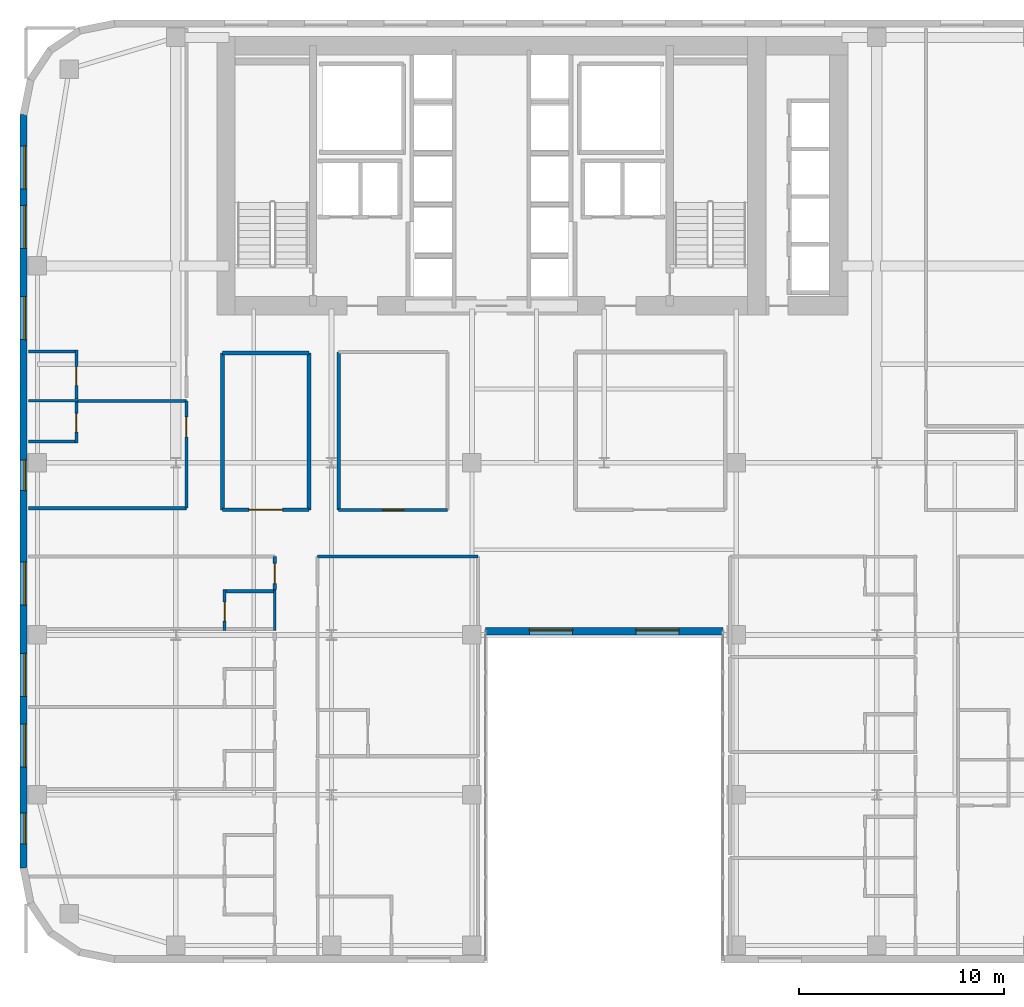
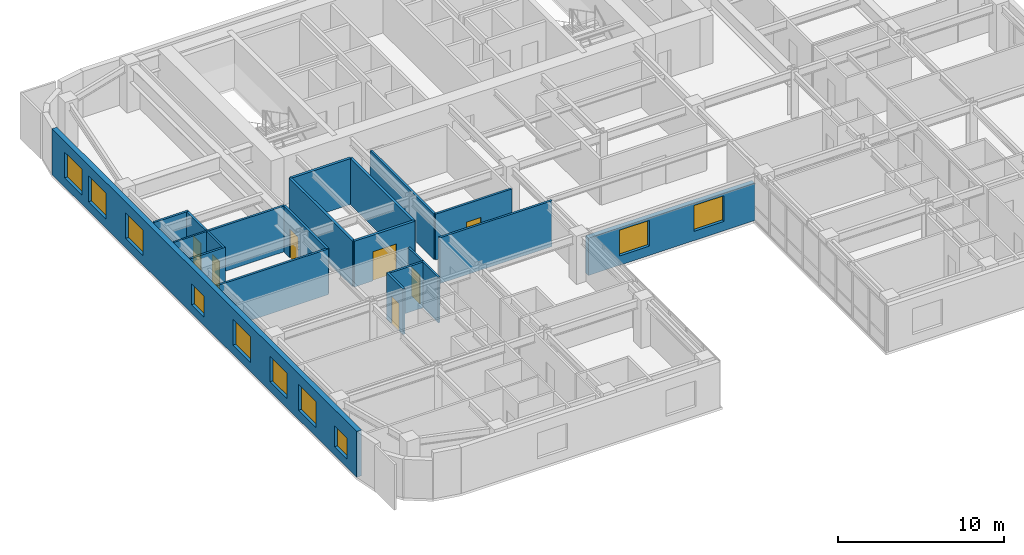
# One storey, part 11 of 16: 21 walls, 10 windows, 7 doors, 17 openings.
"""IFC4 building model written with IfcOpenShell, lengths in metres."""

import ifcopenshell
import ifcopenshell.guid

model = None  # the IFC model being written
_history = None  # IfcOwnerHistory: only IFC2X3 demands one
_inside = {}  # id of a spatial element -> (the spatial element, [elements in it])
_under = {}  # id of a project, library or spatial element -> (it, [spatial elements below it])
_declared = {}  # id of a project -> (the project, [libraries it declares])
_typed = {}  # id of a type object -> (the type object, [elements of that type])
_made_of = {}  # id of a material, layer set ... -> (it, [elements and type objects made of it])


def new_model(schema):
    """Start an empty IFC model of exactly this schema.

    Asked for "IFC4X3", IfcOpenShell would pick the latest addendum, in which some entities
    have other attributes; the version numbers below select the first issue.
    IFC2X3 requires an IfcOwnerHistory on every rooted entity: one is made here for all.
    """
    global model, _history
    if schema == "IFC4X3":
        model = ifcopenshell.file(schema_version=(4, 3, 0, 0))
    else:
        model = ifcopenshell.file(schema=schema)
    _inside.clear()
    _under.clear()
    _declared.clear()
    _typed.clear()
    _made_of.clear()
    _history = None
    if model.schema == "IFC2X3":
        org = make("IfcOrganization", Name="unknown")
        user = make(
            "IfcPersonAndOrganization",
            ThePerson=make("IfcPerson", FamilyName="unknown"),
            TheOrganization=org,
        )
        app = make(
            "IfcApplication",
            ApplicationDeveloper=org,
            Version="unknown",
            ApplicationFullName="unknown",
            ApplicationIdentifier="unknown",
        )
        _history = make(
            "IfcOwnerHistory",
            OwningUser=user,
            OwningApplication=app,
            ChangeAction="ADDED",
            CreationDate=0,
        )
    return model


def make(cls, **values):
    """One entity of the class cls with the attributes given. An attribute that is None is left unset."""
    return model.create_entity(
        cls, **{name: value for name, value in values.items() if value is not None}
    )


def rooted(cls, **values):
    """An entity with a GlobalId (a new one), such as an element, a storey or a relation."""
    return make(cls, GlobalId=ifcopenshell.guid.new(), OwnerHistory=_history, **values)


def si_unit(unit_type, name, prefix=None):
    """IfcSIUnit, for example si_unit("LENGTHUNIT", "METRE", prefix="MILLI")."""
    return make("IfcSIUnit", UnitType=unit_type, Prefix=prefix, Name=name)


def assignment(units):
    """IfcUnitAssignment: the units of a project."""
    return None if units is None else make("IfcUnitAssignment", Units=units)


def point(xyz):
    """IfcCartesianPoint."""
    return None if xyz is None else make("IfcCartesianPoint", Coordinates=xyz)


def direction(xyz):
    """IfcDirection."""
    return None if xyz is None else make("IfcDirection", DirectionRatios=xyz)


def frame(location, z_axis=None, x_axis=None):
    """IfcAxis2Placement3D, a coordinate frame: its origin and axes. An axis left out is left unset."""
    return make(
        "IfcAxis2Placement3D",
        Location=point(location),
        Axis=direction(z_axis),
        RefDirection=direction(x_axis),
    )


def frame_2d(location, x_axis=None):
    """IfcAxis2Placement2D, a coordinate frame in the plane: its origin and x axis."""
    return make(
        "IfcAxis2Placement2D", Location=point(location), RefDirection=direction(x_axis)
    )


def origin():
    """The frame at (0, 0, 0) with its axes left unset."""
    return frame((0.0, 0.0, 0.0))


def place(relative_to, where):
    """IfcLocalPlacement: puts the frame where relative to a parent placement (None: the world)."""
    return make(
        "IfcLocalPlacement", PlacementRelTo=relative_to, RelativePlacement=where
    )


def context(
    kind, dimensions, precision=None, world=None, true_north=None, identifier=None
):
    """IfcGeometricRepresentationContext, for example the 3D "Model" context."""
    return make(
        "IfcGeometricRepresentationContext",
        ContextIdentifier=identifier,
        ContextType=kind,
        CoordinateSpaceDimension=dimensions,
        Precision=precision,
        WorldCoordinateSystem=world,
        TrueNorth=true_north,
    )


def subcontext(parent, identifier, kind, view, scale=None):
    """IfcGeometricRepresentationSubContext, for example "Body" below "Model"."""
    return make(
        "IfcGeometricRepresentationSubContext",
        ContextIdentifier=identifier,
        ContextType=kind,
        ParentContext=parent,
        TargetScale=scale,
        TargetView=view,
    )


def project(units=None, contexts=None):
    """IfcProject with its units and contexts."""
    return rooted(
        "IfcProject",
        Name="project",
        RepresentationContexts=contexts,
        UnitsInContext=assignment(units),
    )


def spatial(cls, under=None, at=None, **own):
    """A site, building, storey or space (cls), placed at a placement, below another one or the project."""
    s = rooted(cls, ObjectPlacement=at, **own)
    if under is not None:
        _under.setdefault(under.id(), (under, []))[1].append(s)
    return s


def profile(cls, at=None, kind="AREA", **sizes):
    """A parametric profile (cls). Its sizes go by their IFC names, for example OverallWidth=200.0."""
    return make(cls, ProfileType=kind, Position=at, **sizes)


def rectangle(**sizes):
    """IfcRectangleProfileDef."""
    return profile("IfcRectangleProfileDef", **sizes)


def extrude(swept, where, along, depth):
    """IfcExtrudedAreaSolid: the profile swept, set in the frame where, extruded along a direction by depth."""
    return make(
        "IfcExtrudedAreaSolid",
        SweptArea=swept,
        Position=where,
        ExtrudedDirection=direction(along),
        Depth=depth,
    )


def shape(context_of_items, identifier, shape_type, items):
    """IfcShapeRepresentation: the items that make up one representation, for example the "Body"."""
    return make(
        "IfcShapeRepresentation",
        ContextOfItems=context_of_items,
        RepresentationIdentifier=identifier,
        RepresentationType=shape_type,
        Items=items,
    )


def source(mapping_origin, context_of_items, identifier, shape_type, items):
    """IfcRepresentationMap: a shape defined once, which mapped items show again and again."""
    return make(
        "IfcRepresentationMap",
        MappingOrigin=mapping_origin,
        MappedRepresentation=shape(context_of_items, identifier, shape_type, items),
    )


def transform(
    local_origin,
    x_axis=None,
    y_axis=None,
    z_axis=None,
    scale=None,
    scale2=None,
    scale3=None,
    uniform=True,
):
    """IfcCartesianTransformationOperator3D, or its non-uniform kind. x_axis, y_axis, z_axis: its Axis1, 2, 3."""
    if uniform:
        return make(
            "IfcCartesianTransformationOperator3D",
            Axis1=direction(x_axis),
            Axis2=direction(y_axis),
            LocalOrigin=point(local_origin),
            Scale=scale,
            Axis3=direction(z_axis),
        )
    return make(
        "IfcCartesianTransformationOperator3DnonUniform",
        Axis1=direction(x_axis),
        Axis2=direction(y_axis),
        LocalOrigin=point(local_origin),
        Scale=scale,
        Axis3=direction(z_axis),
        Scale2=scale2,
        Scale3=scale3,
    )


def mapped(mapping_source, mapping_target):
    """IfcMappedItem: shows the shape of a source again, moved by a transform."""
    return make(
        "IfcMappedItem", MappingSource=mapping_source, MappingTarget=mapping_target
    )


def material(Name=None, Category=None):
    """IfcMaterial."""
    return make("IfcMaterial", Name=Name, Category=Category)


def layer(
    of_material, thickness, ventilated=None, Name=None, Category=None, Priority=None
):
    """IfcMaterialLayer: one layer of a wall or slab, of a material (None: an air gap)."""
    return make(
        "IfcMaterialLayer",
        Material=of_material,
        LayerThickness=thickness,
        IsVentilated=ventilated,
        Name=Name,
        Category=Category,
        Priority=Priority,
    )


def layer_set(layers, Name=None):
    """IfcMaterialLayerSet."""
    return make("IfcMaterialLayerSet", MaterialLayers=layers, LayerSetName=Name)


def made_of(thing, what):
    """Note that an element or type object is made of a material, layer set ...; save() writes the relation."""
    if what is not None:
        _made_of.setdefault(what.id(), (what, []))[1].append(thing)
    return thing


def type_object(cls, material=None, **own):
    """A type object (cls), such as IfcWallType, which elements share."""
    return made_of(rooted(cls, **own), material)


def type_shapes(of_type, sources):
    """Give a type object the sources (RepresentationMaps) that its elements show as mapped items."""
    of_type.RepresentationMaps = sources


def element(
    cls,
    number,
    at=None,
    inside=None,
    cuts=None,
    type_object=None,
    material=None,
    context=None,
    identifier="Body",
    shape_type=None,
    held_by="IfcProductDefinitionShape",
    body=None,
    shapes=None,
    **own,
):
    """One element of the class cls, such as IfcWall. Its Tag is "e" and its number.

    at: its placement. inside: the storey or other place that contains it. cuts: it is an
    opening in that element (IfcRelVoidsElement). A single representation is given by context,
    identifier, shape_type and body (its items); several are given by shapes. held_by: the class
    of the entity that holds the representations. save() writes the other relations.
    """
    e = rooted(cls, Tag="e%d" % number, ObjectPlacement=at, **own)
    if body is not None:
        shapes = [shape(context, identifier, shape_type, body)]
    if shapes is not None:
        e.Representation = make(held_by, Representations=shapes)
    if inside is not None:
        _inside.setdefault(inside.id(), (inside, []))[1].append(e)
    if cuts is not None:
        rooted(
            "IfcRelVoidsElement", RelatingBuildingElement=cuts, RelatedOpeningElement=e
        )
    if type_object is not None:
        _typed.setdefault(type_object.id(), (type_object, []))[1].append(e)
    return made_of(e, material)


def fill(opening, filler):
    """IfcRelFillsElement: the door or window that sits in an opening."""
    return rooted(
        "IfcRelFillsElement",
        RelatingOpeningElement=opening,
        RelatedBuildingElement=filler,
    )


def aggregate(whole, parts):
    """IfcRelAggregates: a whole, such as a stair, and the parts it consists of."""
    return rooted("IfcRelAggregates", RelatingObject=whole, RelatedObjects=parts)


def save(model, path):
    """Write the relations noted so far, then the file.

    IfcRelAggregates (storeys below a building ...), IfcRelContainedInSpatialStructure (elements
    in a storey), IfcRelDefinesByType, IfcRelAssociatesMaterial and IfcRelDeclares: one each for
    every whole, place, type object, material and project.
    """
    for whole, parts in _under.values():
        aggregate(whole, parts)
    for where, things in _inside.values():
        rooted(
            "IfcRelContainedInSpatialStructure",
            RelatedElements=things,
            RelatingStructure=where,
        )
    for kind, things in _typed.values():
        rooted("IfcRelDefinesByType", RelatedObjects=things, RelatingType=kind)
    for what, things in _made_of.values():
        rooted("IfcRelAssociatesMaterial", RelatedObjects=things, RelatingMaterial=what)
    for by, libraries in _declared.values():
        rooted("IfcRelDeclares", RelatingContext=by, RelatedDefinitions=libraries)
    model.write(path)


model = new_model("IFC4")

# Units and contexts
model_context = context("Model", 3, precision=1e-05, world=origin(), true_north=direction((0.0, 1.0)))
body_context = subcontext(model_context, "Body", "Model", "MODEL_VIEW")
ifc_project = project(units=[si_unit("LENGTHUNIT", "METRE"), si_unit("AREAUNIT", "SQUARE_METRE"), si_unit("VOLUMEUNIT", "CUBIC_METRE"), si_unit("PLANEANGLEUNIT", "RADIAN"), si_unit("MASSUNIT", "GRAM", prefix="KILO")], contexts=[model_context])

# Site, building, storey
site_placement = place(None, origin())
site = spatial("IfcSite", under=ifc_project, at=site_placement, CompositionType="ELEMENT")
building_placement = place(site_placement, origin())
building = spatial("IfcBuilding", under=site, at=building_placement, Name="Tolvann Quenvar Hotel", CompositionType="ELEMENT")
storey_placement = place(building_placement, frame((0.0, 0.0, 85.25)))
storey = spatial("IfcBuildingStorey", under=building, at=storey_placement, Name="L21", CompositionType="ELEMENT", Elevation=85.25)

# Wall, openings, windows
ifc_material_1 = material(Name="Kiln-fired red and buff architectural clay brickwork and terracotta masonry", Category="masonry")
ifc_layer_1 = layer(ifc_material_1, 0.35009765625)
ifc_layer_set_1 = layer_set([ifc_layer_1], Name="Kiln-fired red and buff architectural clay brickwork and terracotta masonry")
wall_type_1 = type_object("IfcWallType", Name="WALL_EXT_BRICK_350", PredefinedType="SOLIDWALL", material=ifc_layer_set_1)
wall_1_placement = place(storey_placement, frame((22.7099609375, 16.175048828125, 0.0), z_axis=(0.0, 0.0, 1.0), x_axis=(1.0, 0.0, 0.0)))
wall_1 = element("IfcWall", 1, at=wall_1_placement, inside=storey, type_object=wall_type_1, Name="Exterior Chicago Brick Wall L21-E06", PredefinedType="SOLIDWALL", context=body_context, shape_type="SweptSolid", body=[
    extrude(rectangle(XDim=11.580078125, YDim=0.35009765625, at=frame_2d((5.7900390625, 0.0))), origin(), (0.0, 0.0, 1.0), 2.748046875),
])
opening_1_placement = place(wall_1_placement, frame((2.14501953125, 0.0, 0.679931640625)))
opening_1 = element("IfcOpeningElement", 2, at=opening_1_placement, cuts=wall_1, Name="Opening W-02", PredefinedType="OPENING", context=body_context, shape_type="SweptSolid", body=[
    extrude(rectangle(XDim=2.10009765625, YDim=1.89990234375, at=frame_2d((1.050048828125, 0.949951171875))), frame((0.0, 0.18505859375, 0.0), z_axis=(0.0, -1.0, 0.0), x_axis=(1.0, 0.0, 0.0)), (0.0, 0.0, 1.0), 0.3701171875),
])
opening_2_placement = place(wall_1_placement, frame((7.3349609375, 0.0, 0.679931640625)))
opening_2 = element("IfcOpeningElement", 3, at=opening_2_placement, cuts=wall_1, Name="Opening W-02", PredefinedType="OPENING", context=body_context, shape_type="SweptSolid", body=[
    extrude(rectangle(XDim=2.10009765625, YDim=1.89990234375, at=frame_2d((1.050048828125, 0.949951171875))), frame((0.0, 0.18505859375, 0.0), z_axis=(0.0, -1.0, 0.0), x_axis=(1.0, 0.0, 0.0)), (0.0, 0.0, 1.0), 0.3701171875),
])
ifc_material_2 = material(Name="Thermally broken bronze-anodised aluminium frame with double low-E glazing", Category="aluminium")
window_type_1 = type_object("IfcWindowType", Name="WIN_CHI_2100x2050", PartitioningType="TRIPLE_PANEL_HORIZONTAL", PredefinedType="WINDOW", material=ifc_material_2)
shared_shape_1 = source(origin(), body_context, "Body", "SweptSolid", [
    extrude(rectangle(XDim=2.10009765625, YDim=1.89990234375, at=frame_2d((1.050048828125, 0.949951171875))), frame((0.0, 0.090087890625, 0.0), z_axis=(0.0, -1.0, 0.0), x_axis=(1.0, 0.0, 0.0)), (0.0, 0.0, 1.0), 0.06005859375),
])
type_shapes(window_type_1, [shared_shape_1])
window_1_placement = place(opening_1_placement, origin())
window_1 = element("IfcWindow", 4, at=window_1_placement, inside=storey, type_object=window_type_1, Name="Chicago Window W-02 (EW-L21-E06-W01)", OverallHeight=1.89990234375, OverallWidth=2.10009765625, PartitioningType="TRIPLE_PANEL_HORIZONTAL", PredefinedType="WINDOW", context=body_context, shape_type="MappedRepresentation", body=[
    mapped(shared_shape_1, transform((0.0, 0.0, 0.0), x_axis=(1.0, 0.0, 0.0), y_axis=(0.0, 1.0, 0.0), z_axis=(0.0, 0.0, 1.0), scale=1.0)),
])
fill(opening_1, window_1)
window_2_placement = place(opening_2_placement, origin())
window_2 = element("IfcWindow", 5, at=window_2_placement, inside=storey, type_object=window_type_1, Name="Chicago Window W-02 (EW-L21-E06-W02)", OverallHeight=1.89990234375, OverallWidth=2.10009765625, PartitioningType="TRIPLE_PANEL_HORIZONTAL", PredefinedType="WINDOW", context=body_context, shape_type="MappedRepresentation", body=[
    mapped(shared_shape_1, transform((0.0, 0.0, 0.0), x_axis=(1.0, 0.0, 0.0), y_axis=(0.0, 1.0, 0.0), z_axis=(0.0, 0.0, 1.0), scale=1.0)),
])
fill(opening_2, window_2)

wall_2_placement = place(storey_placement, frame((0.175048828125, 41.3828125, 0.0), z_axis=(0.0, 0.0, 1.0), x_axis=(0.0, -1.0, 0.0)))
wall_2 = element("IfcWall", 6, at=wall_2_placement, inside=storey, type_object=wall_type_1, Name="Exterior Chicago Brick Wall L21-E23", PredefinedType="SOLIDWALL", context=body_context, shape_type="SweptSolid", body=[
    extrude(rectangle(XDim=36.765625, YDim=0.35009765625, at=frame_2d((18.3828125, 0.0))), origin(), (0.0, 0.0, 1.0), 3.3701171875),
])
opening_3_placement = place(wall_2_placement, frame((1.52587890625, 0.0, 0.679931640625)))
opening_3 = element("IfcOpeningElement", 7, at=opening_3_placement, cuts=wall_2, Name="Opening W-02", PredefinedType="OPENING", context=body_context, shape_type="SweptSolid", body=[
    extrude(rectangle(XDim=2.10009765625, YDim=1.89990234375, at=frame_2d((1.050048828125, 0.949951171875))), frame((0.0, 0.18505859375, 0.0), z_axis=(0.0, -1.0, 0.0), x_axis=(1.0, 0.0, 0.0)), (0.0, 0.0, 1.0), 0.3701171875),
])
opening_4_placement = place(wall_2_placement, frame((4.427978515625, 0.0, 0.679931640625)))
opening_4 = element("IfcOpeningElement", 8, at=opening_4_placement, cuts=wall_2, Name="Opening W-02", PredefinedType="OPENING", context=body_context, shape_type="SweptSolid", body=[
    extrude(rectangle(XDim=2.10009765625, YDim=1.89990234375, at=frame_2d((1.050048828125, 0.949951171875))), frame((0.0, 0.18505859375, 0.0), z_axis=(0.0, -1.0, 0.0), x_axis=(1.0, 0.0, 0.0)), (0.0, 0.0, 1.0), 0.3701171875),
])
opening_5_placement = place(wall_2_placement, frame((8.87890625, 0.0, 0.679931640625)))
opening_5 = element("IfcOpeningElement", 9, at=opening_5_placement, cuts=wall_2, Name="Opening W-02", PredefinedType="OPENING", context=body_context, shape_type="SweptSolid", body=[
    extrude(rectangle(XDim=2.10009765625, YDim=1.89990234375, at=frame_2d((1.050048828125, 0.949951171875))), frame((0.0, 0.18505859375, 0.0), z_axis=(0.0, -1.0, 0.0), x_axis=(1.0, 0.0, 0.0)), (0.0, 0.0, 1.0), 0.3701171875),
])
opening_6_placement = place(wall_2_placement, frame((21.8349609375, 0.0, 0.679931640625)))
opening_6 = element("IfcOpeningElement", 10, at=opening_6_placement, cuts=wall_2, Name="Opening W-02", PredefinedType="OPENING", context=body_context, shape_type="SweptSolid", body=[
    extrude(rectangle(XDim=2.10009765625, YDim=1.89990234375, at=frame_2d((1.050048828125, 0.949951171875))), frame((0.0, 0.18505859375, 0.0), z_axis=(0.0, -1.0, 0.0), x_axis=(1.0, 0.0, 0.0)), (0.0, 0.0, 1.0), 0.3701171875),
])
opening_7_placement = place(wall_2_placement, frame((26.285888671875, 0.0, 0.679931640625)))
opening_7 = element("IfcOpeningElement", 11, at=opening_7_placement, cuts=wall_2, Name="Opening W-02", PredefinedType="OPENING", context=body_context, shape_type="SweptSolid", body=[
    extrude(rectangle(XDim=2.10009765625, YDim=1.89990234375, at=frame_2d((1.050048828125, 0.949951171875))), frame((0.0, 0.18505859375, 0.0), z_axis=(0.0, -1.0, 0.0), x_axis=(1.0, 0.0, 0.0)), (0.0, 0.0, 1.0), 0.3701171875),
])
opening_8_placement = place(wall_2_placement, frame((29.738037109375, 0.0, 0.679931640625)))
opening_8 = element("IfcOpeningElement", 12, at=opening_8_placement, cuts=wall_2, Name="Opening W-02", PredefinedType="OPENING", context=body_context, shape_type="SweptSolid", body=[
    extrude(rectangle(XDim=2.10009765625, YDim=1.89990234375, at=frame_2d((1.050048828125, 0.949951171875))), frame((0.0, 0.18505859375, 0.0), z_axis=(0.0, -1.0, 0.0), x_axis=(1.0, 0.0, 0.0)), (0.0, 0.0, 1.0), 0.3701171875),
])
opening_9_placement = place(wall_2_placement, frame((34.0791015625, 0.0, 0.6201171875)))
opening_9 = element("IfcOpeningElement", 13, at=opening_9_placement, cuts=wall_2, Name="Opening W-08", PredefinedType="OPENING", context=body_context, shape_type="SweptSolid", body=[
    extrude(rectangle(XDim=1.5, YDim=1.550048828125, at=frame_2d((0.75, 0.77490234375))), frame((0.0, 0.18505859375, 0.0), z_axis=(0.0, -1.0, 0.0), x_axis=(1.0, 0.0, 0.0)), (0.0, 0.0, 1.0), 0.3701171875),
])
opening_10_placement = place(wall_2_placement, frame((16.837890625, 0.0, 0.6201171875)))
opening_10 = element("IfcOpeningElement", 14, at=opening_10_placement, cuts=wall_2, Name="Opening W-08", PredefinedType="OPENING", context=body_context, shape_type="SweptSolid", body=[
    extrude(rectangle(XDim=1.5, YDim=1.550048828125, at=frame_2d((0.75, 0.77490234375))), frame((0.0, 0.18505859375, 0.0), z_axis=(0.0, -1.0, 0.0), x_axis=(1.0, 0.0, 0.0)), (0.0, 0.0, 1.0), 0.3701171875),
])
window_type_2 = type_object("IfcWindowType", Name="WIN_COR_1500x2050", PartitioningType="SINGLE_PANEL", PredefinedType="WINDOW", material=ifc_material_2)
shared_shape_2 = source(origin(), body_context, "Body", "SweptSolid", [
    extrude(rectangle(XDim=1.5, YDim=1.550048828125, at=frame_2d((0.75, 0.77490234375))), frame((0.0, 0.090087890625, 0.0), z_axis=(0.0, -1.0, 0.0), x_axis=(1.0, 0.0, 0.0)), (0.0, 0.0, 1.0), 0.06005859375),
])
type_shapes(window_type_2, [shared_shape_2])
window_3_placement = place(opening_9_placement, origin())
window_3 = element("IfcWindow", 15, at=window_3_placement, inside=storey, type_object=window_type_2, Name="Chicago Window W-08 (EW-L21-E23-WD07)", OverallHeight=1.550048828125, OverallWidth=1.5, PartitioningType="SINGLE_PANEL", PredefinedType="WINDOW", context=body_context, shape_type="MappedRepresentation", body=[
    mapped(shared_shape_2, transform((0.0, 0.0, 0.0), x_axis=(1.0, 0.0, 0.0), y_axis=(0.0, 1.0, 0.0), z_axis=(0.0, 0.0, 1.0), scale=1.0)),
])
fill(opening_9, window_3)
window_4_placement = place(opening_10_placement, origin())
window_4 = element("IfcWindow", 16, at=window_4_placement, inside=storey, type_object=window_type_2, Name="Chicago Window W-08 (EW-L21-E23-WD08)", OverallHeight=1.550048828125, OverallWidth=1.5, PartitioningType="SINGLE_PANEL", PredefinedType="WINDOW", context=body_context, shape_type="MappedRepresentation", body=[
    mapped(shared_shape_2, transform((0.0, 0.0, 0.0), x_axis=(1.0, 0.0, 0.0), y_axis=(0.0, 1.0, 0.0), z_axis=(0.0, 0.0, 1.0), scale=1.0)),
])
fill(opening_10, window_4)
window_5_placement = place(opening_3_placement, origin())
window_5 = element("IfcWindow", 17, at=window_5_placement, inside=storey, type_object=window_type_1, Name="Chicago Window W-02 (EW-L21-E23-W01)", OverallHeight=1.89990234375, OverallWidth=2.10009765625, PartitioningType="TRIPLE_PANEL_HORIZONTAL", PredefinedType="WINDOW", context=body_context, shape_type="MappedRepresentation", body=[
    mapped(shared_shape_1, transform((0.0, 0.0, 0.0), x_axis=(1.0, 0.0, 0.0), y_axis=(0.0, 1.0, 0.0), z_axis=(0.0, 0.0, 1.0), scale=1.0)),
])
fill(opening_3, window_5)
window_6_placement = place(opening_4_placement, origin())
window_6 = element("IfcWindow", 18, at=window_6_placement, inside=storey, type_object=window_type_1, Name="Chicago Window W-02 (EW-L21-E23-W02)", OverallHeight=1.89990234375, OverallWidth=2.10009765625, PartitioningType="TRIPLE_PANEL_HORIZONTAL", PredefinedType="WINDOW", context=body_context, shape_type="MappedRepresentation", body=[
    mapped(shared_shape_1, transform((0.0, 0.0, 0.0), x_axis=(1.0, 0.0, 0.0), y_axis=(0.0, 1.0, 0.0), z_axis=(0.0, 0.0, 1.0), scale=1.0)),
])
fill(opening_4, window_6)
window_7_placement = place(opening_5_placement, origin())
window_7 = element("IfcWindow", 19, at=window_7_placement, inside=storey, type_object=window_type_1, Name="Chicago Window W-02 (EW-L21-E23-W03)", OverallHeight=1.89990234375, OverallWidth=2.10009765625, PartitioningType="TRIPLE_PANEL_HORIZONTAL", PredefinedType="WINDOW", context=body_context, shape_type="MappedRepresentation", body=[
    mapped(shared_shape_1, transform((0.0, 0.0, 0.0), x_axis=(1.0, 0.0, 0.0), y_axis=(0.0, 1.0, 0.0), z_axis=(0.0, 0.0, 1.0), scale=1.0)),
])
fill(opening_5, window_7)
window_8_placement = place(opening_6_placement, origin())
window_8 = element("IfcWindow", 20, at=window_8_placement, inside=storey, type_object=window_type_1, Name="Chicago Window W-02 (EW-L21-E23-W04)", OverallHeight=1.89990234375, OverallWidth=2.10009765625, PartitioningType="TRIPLE_PANEL_HORIZONTAL", PredefinedType="WINDOW", context=body_context, shape_type="MappedRepresentation", body=[
    mapped(shared_shape_1, transform((0.0, 0.0, 0.0), x_axis=(1.0, 0.0, 0.0), y_axis=(0.0, 1.0, 0.0), z_axis=(0.0, 0.0, 1.0), scale=1.0)),
])
fill(opening_6, window_8)
window_9_placement = place(opening_7_placement, origin())
window_9 = element("IfcWindow", 21, at=window_9_placement, inside=storey, type_object=window_type_1, Name="Chicago Window W-02 (EW-L21-E23-W05)", OverallHeight=1.89990234375, OverallWidth=2.10009765625, PartitioningType="TRIPLE_PANEL_HORIZONTAL", PredefinedType="WINDOW", context=body_context, shape_type="MappedRepresentation", body=[
    mapped(shared_shape_1, transform((0.0, 0.0, 0.0), x_axis=(1.0, 0.0, 0.0), y_axis=(0.0, 1.0, 0.0), z_axis=(0.0, 0.0, 1.0), scale=1.0)),
])
fill(opening_7, window_9)
window_10_placement = place(opening_8_placement, origin())
window_10 = element("IfcWindow", 22, at=window_10_placement, inside=storey, type_object=window_type_1, Name="Chicago Window W-02 (EW-L21-E23-W06)", OverallHeight=1.89990234375, OverallWidth=2.10009765625, PartitioningType="TRIPLE_PANEL_HORIZONTAL", PredefinedType="WINDOW", context=body_context, shape_type="MappedRepresentation", body=[
    mapped(shared_shape_1, transform((0.0, 0.0, 0.0), x_axis=(1.0, 0.0, 0.0), y_axis=(0.0, 1.0, 0.0), z_axis=(0.0, 0.0, 1.0), scale=1.0)),
])
fill(opening_8, window_10)

# Wall, opening, door
ifc_material_3 = material(Name="Acoustic twin-stud fire-rated gypsum plasterboard partition")
ifc_layer_2 = layer(ifc_material_3, 0.179931640625)
ifc_layer_set_2 = layer_set([ifc_layer_2], Name="Acoustic twin-stud fire-rated gypsum plasterboard partition")
wall_type_2 = type_object("IfcWallType", Name="WALL_PART_ACOUSTIC_180", PredefinedType="PARTITIONING", material=ifc_layer_set_2)
wall_3_placement = place(storey_placement, frame((9.8798828125, 22.10009765625, 0.0), z_axis=(0.0, 0.0, 1.0), x_axis=(1.0, 0.0, 0.0)))
wall_3 = element("IfcWall", 23, at=wall_3_placement, inside=storey, type_object=wall_type_2, Name="Interior Partition PT-SPC-L21-MSP-W-S", PredefinedType="PARTITIONING", context=body_context, shape_type="SweptSolid", body=[
    extrude(rectangle(XDim=4.22021484375, YDim=0.179931640625, at=frame_2d((2.110107421875, 0.0))), origin(), (0.0, 0.0, 1.0), 3.3701171875),
])
opening_11_placement = place(wall_3_placement, frame((1.284912109375, 0.0, 0.0)))
opening_11 = element("IfcOpeningElement", 24, at=opening_11_placement, cuts=wall_3, Name="Opening AD-01", PredefinedType="OPENING", context=body_context, shape_type="SweptSolid", body=[
    extrude(rectangle(XDim=1.64990234375, YDim=2.14990234375, at=frame_2d((0.824951171875, 1.074951171875))), frame((0.0, 0.10009765625, 0.0), z_axis=(0.0, -1.0, 0.0), x_axis=(1.0, 0.0, 0.0)), (0.0, 0.0, 1.0), 0.199951171875),
])
ifc_material_4 = material(Name="Solid-core American oak acoustic fire door leaf in steel frame", Category="steel")
door_type_1 = type_object("IfcDoorType", Name="DOOR_SALON_1650", OperationType="NOTDEFINED", PredefinedType="DOOR", material=ifc_material_4)
shared_shape_3 = source(origin(), body_context, "Body", "SweptSolid", [
    extrude(rectangle(XDim=1.64990234375, YDim=2.14990234375, at=frame_2d((0.824951171875, 1.074951171875))), frame((0.0, 0.02490234375, 0.0), z_axis=(0.0, -1.0, 0.0), x_axis=(1.0, 0.0, 0.0)), (0.0, 0.0, 1.0), 0.050048828125),
])
type_shapes(door_type_1, [shared_shape_3])
door_1_placement = place(opening_11_placement, origin())
door_1 = element("IfcDoor", 25, at=door_1_placement, inside=storey, type_object=door_type_1, Name="Interior Door DOOR-SPC-L21-MSP-W", OperationType="DOUBLE_DOOR_SINGLE_SWING", OverallHeight=2.14990234375, OverallWidth=1.64990234375, PredefinedType="DOOR", context=body_context, shape_type="MappedRepresentation", body=[
    mapped(shared_shape_3, transform((0.0, 0.0, 0.0), x_axis=(1.0, 0.0, 0.0), y_axis=(0.0, 1.0, 0.0), z_axis=(0.0, 0.0, 1.0), scale=1.0)),
])
fill(opening_11, door_1)

# Walls
wall_4_placement = place(storey_placement, frame((9.8798828125, 29.75, 0.0), z_axis=(0.0, 0.0, 1.0), x_axis=(1.0, 0.0, 0.0)))
element("IfcWall", 26, at=wall_4_placement, inside=storey, type_object=wall_type_2, Name="Interior Partition PT-SPC-L21-MSP-W-N", PredefinedType="PARTITIONING", context=body_context, shape_type="SweptSolid", body=[
    extrude(rectangle(XDim=4.22021484375, YDim=0.179931640625, at=frame_2d((2.110107421875, 0.0))), origin(), (0.0, 0.0, 1.0), 3.3701171875),
])
for number, where, z_axis, x_axis, name in (
    (27, (9.8798828125, 22.10009765625, 0.0), (0.0, 0.0, 1.0), (0.0, 1.0, 0.0), "Interior Partition PT-SPC-L21-MSP-W-W"),
    (28, (14.10009765625, 22.10009765625, 0.0), (0.0, 0.0, 1.0), (0.0, 1.0, 0.0), "Interior Partition PT-SPC-L21-MSP-W-E"),
):
    element("IfcWall", number, at=place(storey_placement, frame(where, z_axis=z_axis, x_axis=x_axis)), inside=storey, type_object=wall_type_2, Name=name, PredefinedType="PARTITIONING", context=body_context, shape_type="SweptSolid", body=[
        extrude(rectangle(XDim=7.64990234375, YDim=0.179931640625, at=frame_2d((3.824951171875, 0.0))), origin(), (0.0, 0.0, 1.0), 3.3701171875),
    ])
ifc_material_5 = material(Name="Moisture-resistant acoustic plumbing wall assembly")
ifc_layer_3 = layer(ifc_material_5, 0.1201171875)
ifc_layer_set_3 = layer_set([ifc_layer_3], Name="Moisture-resistant acoustic plumbing wall assembly")
wall_type_3 = type_object("IfcWallType", Name="WALL_PART_BATH_120", PredefinedType="PLUMBINGWALL", material=ifc_layer_set_3)
wall_5_placement = place(storey_placement, frame((12.429931640625, 16.2099609375, 0.0), z_axis=(0.0, 0.0, 1.0), x_axis=(0.0, 1.0, 0.0)))
element("IfcWall", 29, at=wall_5_placement, inside=storey, type_object=wall_type_3, Name="Non-Rated Plumbing Partition PT-SPC-L21-ENS-WO05-E", PredefinedType="PLUMBINGWALL", context=body_context, shape_type="SweptSolid", body=[
    extrude(rectangle(XDim=1.989990234375, YDim=0.1201171875, at=frame_2d((0.9951171875, 0.0))), origin(), (0.0, 0.0, 1.0), 3.3701171875),
])
wall_6_placement = place(storey_placement, frame((0.405029296875, 27.419921875, 0.0), z_axis=(0.0, 0.0, 1.0), x_axis=(1.0, 0.0, 0.0)))
element("IfcWall", 30, at=wall_6_placement, inside=storey, type_object=wall_type_3, Name="Non-Rated Plumbing Partition PT-SPC-L21-ENS-NW01-N", PredefinedType="PLUMBINGWALL", context=body_context, shape_type="SweptSolid", body=[
    extrude(rectangle(XDim=2.4150390625, YDim=0.1201171875, at=frame_2d((1.20751953125, 0.0))), origin(), (0.0, 0.0, 1.0), 3.3701171875),
])

# Wall, opening, door
ifc_layer_4 = layer(ifc_material_3, 0.14990234375)
ifc_layer_set_4 = layer_set([ifc_layer_4], Name="Acoustic twin-stud fire-rated gypsum plasterboard partition")
wall_type_4 = type_object("IfcWallType", Name="WALL_PART_SUITE_150", PredefinedType="PARTITIONING", material=ifc_layer_set_4)
wall_7_placement = place(storey_placement, frame((9.97998046875, 16.2099609375, 0.0), z_axis=(0.0, 0.0, 1.0), x_axis=(0.0, 1.0, 0.0)))
wall_7 = element("IfcWall", 31, at=wall_7_placement, inside=storey, type_object=wall_type_4, Name="Interior Partition PT-SPC-L21-ENS-WO05-ENT", PredefinedType="PARTITIONING", context=body_context, shape_type="SweptSolid", body=[
    extrude(rectangle(XDim=1.989990234375, YDim=0.14990234375, at=frame_2d((0.9951171875, 0.0))), origin(), (0.0, 0.0, 1.0), 3.3701171875),
])
opening_12_placement = place(wall_7_placement, frame((0.465087890625, 0.0, 0.0)))
opening_12 = element("IfcOpeningElement", 32, at=opening_12_placement, cuts=wall_7, Name="Opening WD-01", PredefinedType="OPENING", context=body_context, shape_type="SweptSolid", body=[
    extrude(rectangle(XDim=0.919921875, YDim=2.010009765625, at=frame_2d((0.4599609375, 1.0048828125))), frame((0.0, 0.0849609375, 0.0), z_axis=(0.0, -1.0, 0.0), x_axis=(1.0, 0.0, 0.0)), (0.0, 0.0, 1.0), 0.169921875),
])
door_type_2 = type_object("IfcDoorType", Name="DOOR_WC_920", OperationType="NOTDEFINED", PredefinedType="DOOR", material=ifc_material_4)
shared_shape_4 = source(origin(), body_context, "Body", "SweptSolid", [
    extrude(rectangle(XDim=0.919921875, YDim=2.010009765625, at=frame_2d((0.4599609375, 1.0048828125))), frame((0.0, 0.02490234375, 0.0), z_axis=(0.0, -1.0, 0.0), x_axis=(1.0, 0.0, 0.0)), (0.0, 0.0, 1.0), 0.050048828125),
])
type_shapes(door_type_2, [shared_shape_4])
door_2_placement = place(opening_12_placement, origin())
door_2 = element("IfcDoor", 33, at=door_2_placement, inside=storey, type_object=door_type_2, Name="Interior Door DOOR-SPC-L21-ENS-WO05", OperationType="SINGLE_SWING_RIGHT", OverallHeight=2.010009765625, OverallWidth=0.919921875, PredefinedType="DOOR", context=body_context, shape_type="MappedRepresentation", body=[
    mapped(shared_shape_4, transform((0.0, 0.0, 0.0), x_axis=(1.0, 0.0, 0.0), y_axis=(0.0, 1.0, 0.0), z_axis=(0.0, 0.0, 1.0), scale=1.0)),
])
fill(opening_12, door_2)

# Wall
wall_8_placement = place(storey_placement, frame((9.909912109375, 18.1298828125, 0.0), z_axis=(0.0, 0.0, 1.0), x_axis=(1.0, 0.0, 0.0)))
element("IfcWall", 34, at=wall_8_placement, inside=storey, type_object=wall_type_4, Name="Interior Partition PT-SPC-L21-ENS-WO05-N", PredefinedType="PARTITIONING", context=body_context, shape_type="SweptSolid", body=[
    extrude(rectangle(XDim=2.590087890625, YDim=0.14990234375, at=frame_2d((1.294921875, 0.0))), origin(), (0.0, 0.0, 1.0), 3.3701171875),
])

# Wall, opening, door
wall_9_placement = place(storey_placement, frame((2.75, 25.35888671875, 0.0), z_axis=(0.0, 0.0, 1.0), x_axis=(0.0, 1.0, 0.0)))
wall_9 = element("IfcWall", 35, at=wall_9_placement, inside=storey, type_object=wall_type_4, Name="Interior Partition PT-SPC-L21-ENS-NW01-ENT", PredefinedType="PARTITIONING", context=body_context, shape_type="SweptSolid", body=[
    extrude(rectangle(XDim=2.131103515625, YDim=0.14990234375, at=frame_2d((1.0654296875, 0.0))), origin(), (0.0, 0.0, 1.0), 3.3701171875),
])
opening_13_placement = place(wall_9_placement, frame((0.535400390625, 0.0, 0.0)))
opening_13 = element("IfcOpeningElement", 36, at=opening_13_placement, cuts=wall_9, Name="Opening WD-01", PredefinedType="OPENING", context=body_context, shape_type="SweptSolid", body=[
    extrude(rectangle(XDim=0.919921875, YDim=2.010009765625, at=frame_2d((0.4599609375, 1.0048828125))), frame((0.0, 0.0849609375, 0.0), z_axis=(0.0, -1.0, 0.0), x_axis=(1.0, 0.0, 0.0)), (0.0, 0.0, 1.0), 0.169921875),
])
door_3_placement = place(opening_13_placement, origin())
door_3 = element("IfcDoor", 37, at=door_3_placement, inside=storey, type_object=door_type_2, Name="Interior Door DOOR-SPC-L21-ENS-NW01", OperationType="SINGLE_SWING_LEFT", OverallHeight=2.010009765625, OverallWidth=0.919921875, PredefinedType="DOOR", context=body_context, shape_type="MappedRepresentation", body=[
    mapped(shared_shape_4, transform((0.0, 0.0, 0.0), x_axis=(1.0, 0.0, 0.0), y_axis=(0.0, 1.0, 0.0), z_axis=(0.0, 0.0, 1.0), scale=1.0)),
])
fill(opening_13, door_3)

# Wall
wall_10_placement = place(storey_placement, frame((0.405029296875, 25.428955078125, 0.0), z_axis=(0.0, 0.0, 1.0), x_axis=(1.0, 0.0, 0.0)))
element("IfcWall", 38, at=wall_10_placement, inside=storey, type_object=wall_type_4, Name="Interior Partition PT-SPC-L21-ENS-NW01-S", PredefinedType="PARTITIONING", context=body_context, shape_type="SweptSolid", body=[
    extrude(rectangle(XDim=2.4150390625, YDim=0.14990234375, at=frame_2d((1.20751953125, 0.0))), origin(), (0.0, 0.0, 1.0), 3.3701171875),
])

# Wall, opening, door
wall_11_placement = place(storey_placement, frame((2.75, 27.510009765625, 0.0), z_axis=(0.0, 0.0, 1.0), x_axis=(0.0, 1.0, 0.0)))
wall_11 = element("IfcWall", 39, at=wall_11_placement, inside=storey, type_object=wall_type_4, Name="Interior Partition PT-SPC-L21-ENS-NW02-ENT", PredefinedType="PARTITIONING", context=body_context, shape_type="SweptSolid", body=[
    extrude(rectangle(XDim=2.389892578125, YDim=0.14990234375, at=frame_2d((1.19482421875, 0.0))), origin(), (0.0, 0.0, 1.0), 3.3701171875),
])
opening_14_placement = place(wall_11_placement, frame((0.6650390625, 0.0, 0.0)))
opening_14 = element("IfcOpeningElement", 40, at=opening_14_placement, cuts=wall_11, Name="Opening WD-01", PredefinedType="OPENING", context=body_context, shape_type="SweptSolid", body=[
    extrude(rectangle(XDim=0.919921875, YDim=2.010009765625, at=frame_2d((0.4599609375, 1.0048828125))), frame((0.0, 0.0849609375, 0.0), z_axis=(0.0, -1.0, 0.0), x_axis=(1.0, 0.0, 0.0)), (0.0, 0.0, 1.0), 0.169921875),
])
door_4_placement = place(opening_14_placement, origin())
door_4 = element("IfcDoor", 41, at=door_4_placement, inside=storey, type_object=door_type_2, Name="Interior Door DOOR-SPC-L21-ENS-NW02", OperationType="SINGLE_SWING_RIGHT", OverallHeight=2.010009765625, OverallWidth=0.919921875, PredefinedType="DOOR", context=body_context, shape_type="MappedRepresentation", body=[
    mapped(shared_shape_4, transform((0.0, 0.0, 0.0), x_axis=(1.0, 0.0, 0.0), y_axis=(0.0, 1.0, 0.0), z_axis=(0.0, 0.0, 1.0), scale=1.0)),
])
fill(opening_14, door_4)

# Wall
wall_12_placement = place(storey_placement, frame((0.405029296875, 29.830078125, 0.0), z_axis=(0.0, 0.0, 1.0), x_axis=(1.0, 0.0, 0.0)))
element("IfcWall", 42, at=wall_12_placement, inside=storey, type_object=wall_type_4, Name="Interior Partition PT-SPC-L21-ENS-NW02-N", PredefinedType="PARTITIONING", context=body_context, shape_type="SweptSolid", body=[
    extrude(rectangle(XDim=2.4150390625, YDim=0.14990234375, at=frame_2d((1.20751953125, 0.0))), origin(), (0.0, 0.0, 1.0), 3.3701171875),
])

# Wall, opening, door
wall_13_placement = place(storey_placement, frame((12.429931640625, 18.2099609375, 0.0), z_axis=(0.0, 0.0, 1.0), x_axis=(0.0, 1.0, 0.0)))
wall_13 = element("IfcWall", 43, at=wall_13_placement, inside=storey, type_object=wall_type_4, Name="Interior Partition PT-SPC-L21-RM-WO05-ENT", PredefinedType="PARTITIONING", context=body_context, shape_type="SweptSolid", body=[
    extrude(rectangle(XDim=1.610107421875, YDim=0.14990234375, at=frame_2d((0.80517578125, 0.0))), origin(), (0.0, 0.0, 1.0), 3.3701171875),
])
opening_15_placement = place(wall_13_placement, frame((0.294921875, 0.0, 0.0)))
opening_15 = element("IfcOpeningElement", 44, at=opening_15_placement, cuts=wall_13, Name="Opening SD-01", PredefinedType="OPENING", context=body_context, shape_type="SweptSolid", body=[
    extrude(rectangle(XDim=0.97998046875, YDim=2.1201171875, at=frame_2d((0.489990234375, 1.06005859375))), frame((0.0, 0.0849609375, 0.0), z_axis=(0.0, -1.0, 0.0), x_axis=(1.0, 0.0, 0.0)), (0.0, 0.0, 1.0), 0.169921875),
])
door_type_3 = type_object("IfcDoorType", Name="DOOR_SUITE_980", OperationType="NOTDEFINED", PredefinedType="DOOR", material=ifc_material_4)
shared_shape_5 = source(origin(), body_context, "Body", "SweptSolid", [
    extrude(rectangle(XDim=0.97998046875, YDim=2.1201171875, at=frame_2d((0.489990234375, 1.06005859375))), frame((0.0, 0.02490234375, 0.0), z_axis=(0.0, -1.0, 0.0), x_axis=(1.0, 0.0, 0.0)), (0.0, 0.0, 1.0), 0.050048828125),
])
type_shapes(door_type_3, [shared_shape_5])
door_5_placement = place(opening_15_placement, origin())
door_5 = element("IfcDoor", 45, at=door_5_placement, inside=storey, type_object=door_type_3, Name="Interior Door DOOR-SPC-L21-RM-WO05", OperationType="SINGLE_SWING_RIGHT", OverallHeight=2.1201171875, OverallWidth=0.97998046875, PredefinedType="DOOR", context=body_context, shape_type="MappedRepresentation", body=[
    mapped(shared_shape_5, transform((0.0, 0.0, 0.0), x_axis=(1.0, 0.0, 0.0), y_axis=(0.0, 1.0, 0.0), z_axis=(0.0, 0.0, 1.0), scale=1.0)),
])
fill(opening_15, door_5)

# Wall
wall_14_placement = place(storey_placement, frame((14.52001953125, 19.820068359375, 0.0), z_axis=(0.0, 0.0, 1.0), x_axis=(1.0, 0.0, 0.0)))
element("IfcWall", 46, at=wall_14_placement, inside=storey, type_object=wall_type_4, Name="Interior Partition PT-SPC-L21-RM-WI02-E5", PredefinedType="PARTITIONING", context=body_context, shape_type="SweptSolid", body=[
    extrude(rectangle(XDim=7.830078125, YDim=0.14990234375, at=frame_2d((3.9150390625, 0.0))), origin(), (0.0, 0.0, 1.0), 3.3701171875),
])

# Wall, opening, door
wall_15_placement = place(storey_placement, frame((8.1201171875, 22.179931640625, 0.0), z_axis=(0.0, 0.0, 1.0), x_axis=(0.0, 1.0, 0.0)))
wall_15 = element("IfcWall", 47, at=wall_15_placement, inside=storey, type_object=wall_type_4, Name="Interior Partition PT-SPC-L21-RM-NW01-ENT", PredefinedType="PARTITIONING", context=body_context, shape_type="SweptSolid", body=[
    extrude(rectangle(XDim=5.239990234375, YDim=0.14990234375, at=frame_2d((2.6201171875, 0.0))), origin(), (0.0, 0.0, 1.0), 3.3701171875),
])
opening_16_placement = place(wall_15_placement, frame((3.47998046875, 0.0, 0.0)))
opening_16 = element("IfcOpeningElement", 48, at=opening_16_placement, cuts=wall_15, Name="Opening SD-01", PredefinedType="OPENING", context=body_context, shape_type="SweptSolid", body=[
    extrude(rectangle(XDim=0.97998046875, YDim=2.1201171875, at=frame_2d((0.489990234375, 1.06005859375))), frame((0.0, 0.0849609375, 0.0), z_axis=(0.0, -1.0, 0.0), x_axis=(1.0, 0.0, 0.0)), (0.0, 0.0, 1.0), 0.169921875),
])
door_6_placement = place(opening_16_placement, origin())
door_6 = element("IfcDoor", 49, at=door_6_placement, inside=storey, type_object=door_type_3, Name="Interior Door DOOR-SPC-L21-RM-NW01", OperationType="SINGLE_SWING_LEFT", OverallHeight=2.1201171875, OverallWidth=0.97998046875, PredefinedType="DOOR", context=body_context, shape_type="MappedRepresentation", body=[
    mapped(shared_shape_5, transform((0.0, 0.0, 0.0), x_axis=(1.0, 0.0, 0.0), y_axis=(0.0, 1.0, 0.0), z_axis=(0.0, 0.0, 1.0), scale=1.0)),
])
fill(opening_16, door_6)

# Walls
wall_16_placement = place(storey_placement, frame((0.405029296875, 22.179931640625, 0.0), z_axis=(0.0, 0.0, 1.0), x_axis=(1.0, 0.0, 0.0)))
element("IfcWall", 50, at=wall_16_placement, inside=storey, type_object=wall_type_4, Name="Interior Partition PT-SPC-L21-RM-NW01-E1", PredefinedType="PARTITIONING", context=body_context, shape_type="SweptSolid", body=[
    extrude(rectangle(XDim=7.715087890625, YDim=0.14990234375, at=frame_2d((3.857421875, 0.0))), origin(), (0.0, 0.0, 1.0), 3.3701171875),
])
wall_17_placement = place(storey_placement, frame((2.77001953125, 27.419921875, 0.0), z_axis=(0.0, 0.0, 1.0), x_axis=(1.0, 0.0, 0.0)))
element("IfcWall", 51, at=wall_17_placement, inside=storey, type_object=wall_type_4, Name="Interior Partition PT-SPC-L21-RM-NW01-E3", PredefinedType="PARTITIONING", context=body_context, shape_type="SweptSolid", body=[
    extrude(rectangle(XDim=5.35009765625, YDim=0.14990234375, at=frame_2d((2.675048828125, 0.0))), origin(), (0.0, 0.0, 1.0), 3.3701171875),
])

# Wall, opening, door
wall_18_placement = place(storey_placement, frame((15.550048828125, 22.10009765625, 0.0), z_axis=(0.0, 0.0, 1.0), x_axis=(1.0, 0.0, 0.0)))
wall_18 = element("IfcWall", 52, at=wall_18_placement, inside=storey, type_object=wall_type_4, Name="Interior Partition PT-SPC-L21-MSP-N-S", PredefinedType="PARTITIONING", context=body_context, shape_type="SweptSolid", body=[
    extrude(rectangle(XDim=5.300048828125, YDim=0.14990234375, at=frame_2d((2.64990234375, 0.0))), origin(), (0.0, 0.0, 1.0), 3.3701171875),
])
opening_17_placement = place(wall_18_placement, frame((2.139892578125, 0.0, 0.0)))
opening_17 = element("IfcOpeningElement", 53, at=opening_17_placement, cuts=wall_18, Name="Opening HD-01", PredefinedType="OPENING", context=body_context, shape_type="SweptSolid", body=[
    extrude(rectangle(XDim=1.02001953125, YDim=2.030029296875, at=frame_2d((0.510009765625, 1.01513671875))), frame((0.0, 0.0849609375, 0.0), z_axis=(0.0, -1.0, 0.0), x_axis=(1.0, 0.0, 0.0)), (0.0, 0.0, 1.0), 0.169921875),
])
ifc_material_6 = material(Name="Pressed galvanised steel fire-rated door set", Category="steel")
door_type_4 = type_object("IfcDoorType", Name="DOOR_BOH_1020", OperationType="NOTDEFINED", PredefinedType="DOOR", material=ifc_material_6)
shared_shape_6 = source(origin(), body_context, "Body", "SweptSolid", [
    extrude(rectangle(XDim=1.02001953125, YDim=2.030029296875, at=frame_2d((0.510009765625, 1.01513671875))), frame((0.0, 0.02490234375, 0.0), z_axis=(0.0, -1.0, 0.0), x_axis=(1.0, 0.0, 0.0)), (0.0, 0.0, 1.0), 0.050048828125),
])
type_shapes(door_type_4, [shared_shape_6])
door_7_placement = place(opening_17_placement, origin())
door_7 = element("IfcDoor", 54, at=door_7_placement, inside=storey, type_object=door_type_4, Name="Interior Door DOOR-SPC-L21-MSP-N", OperationType="SINGLE_SWING_LEFT", OverallHeight=2.030029296875, OverallWidth=1.02001953125, PredefinedType="DOOR", context=body_context, shape_type="MappedRepresentation", body=[
    mapped(shared_shape_6, transform((0.0, 0.0, 0.0), x_axis=(1.0, 0.0, 0.0), y_axis=(0.0, 1.0, 0.0), z_axis=(0.0, 0.0, 1.0), scale=1.0)),
])
fill(opening_17, door_7)

# Wall
wall_19_placement = place(storey_placement, frame((15.550048828125, 22.10009765625, 0.0), z_axis=(0.0, 0.0, 1.0), x_axis=(0.0, 1.0, 0.0)))
element("IfcWall", 55, at=wall_19_placement, inside=storey, type_object=wall_type_4, Name="Interior Partition PT-SPC-L21-MSP-N-W", PredefinedType="PARTITIONING", context=body_context, shape_type="SweptSolid", body=[
    extrude(rectangle(XDim=7.699951171875, YDim=0.14990234375, at=frame_2d((3.85009765625, 0.0))), origin(), (0.0, 0.0, 1.0), 3.3701171875),
])

save(model, "model.ifc")
